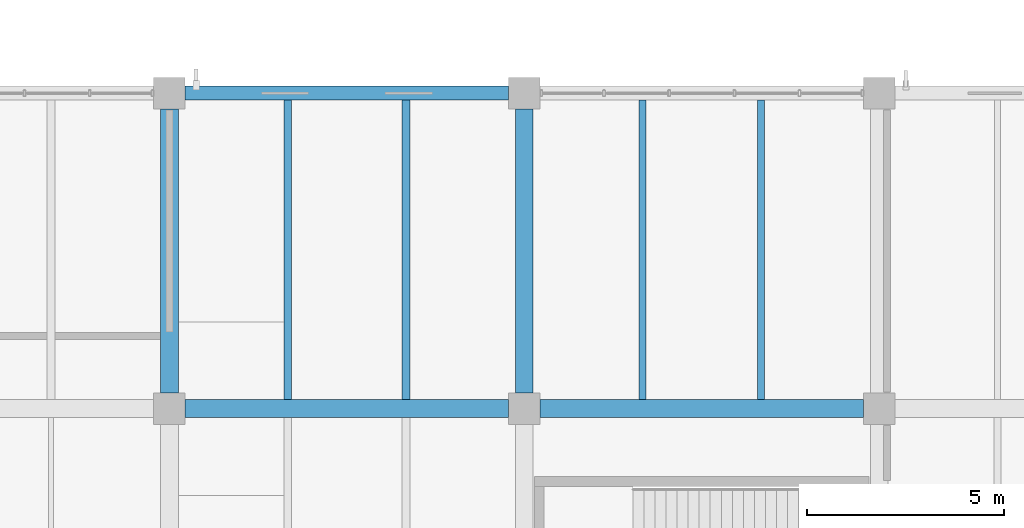
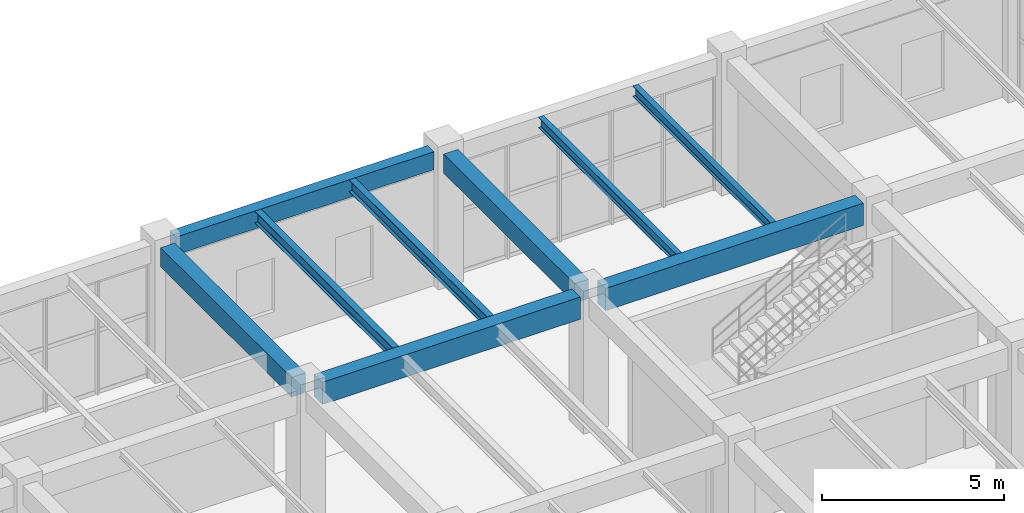
# One storey, part 135 of 178: 9 beams.
"""IFC4 building model written with IfcOpenShell, lengths in metres."""

from ifc_helpers import new_model, si_unit, derived_unit, direction, frame, origin, origin_2d, place, context, subcontext, project, spatial, rectangle, i_section, extrude, material, material_profile, profile_set, type_object, element, save


model = new_model("IFC4")

# Units and contexts
model_context = context("Model", 3, precision=1e-05, world=origin(), true_north=direction((0.0, 1.0)))
body_context = subcontext(model_context, "Body", "Model", "MODEL_VIEW")
ifc_project = project(units=[si_unit("LENGTHUNIT", "METRE"), si_unit("AREAUNIT", "SQUARE_METRE"), si_unit("VOLUMEUNIT", "CUBIC_METRE"), si_unit("PLANEANGLEUNIT", "RADIAN"), si_unit("MASSUNIT", "GRAM", prefix="KILO"), derived_unit("THERMALTRANSMITTANCEUNIT", [(si_unit("MASSUNIT", "GRAM", prefix="KILO"), 1), (si_unit("TIMEUNIT", "SECOND"), -3), (si_unit("THERMODYNAMICTEMPERATUREUNIT", "KELVIN"), -1)])], contexts=[model_context])

# Site, building, storey
site_placement = place(None, origin())
site = spatial("IfcSite", under=ifc_project, at=site_placement, CompositionType="ELEMENT")
building_placement = place(site_placement, origin())
building = spatial("IfcBuilding", under=site, at=building_placement, Name="Zhenchuan Archway Interchange", CompositionType="ELEMENT")
storey_placement = place(building_placement, frame((0.0, 0.0, 5.39990234375)))
storey = spatial("IfcBuildingStorey", under=building, at=storey_placement, Name="L01", CompositionType="ELEMENT", Elevation=5.39990234375)

# Beams
ifc_material_1 = material(Name="Concrete C40", Category="concrete")
ifc_material_profile_1 = material_profile(ifc_material_1, rectangle(XDim=0.449951171875, YDim=0.64990234375, at=origin_2d()), Name="RC 450x650")
ifc_profile_set_1 = profile_set([ifc_material_profile_1], Name="Concrete C40")
beam_type_1 = type_object("IfcBeamType", Name="BM_RC_450x650", PredefinedType="BEAM", material=ifc_profile_set_1)
for number, where, z_axis, x_axis, name in (
    (1, (144.0, 96.39990234375, 4.18505859375), (0.0, 1.0, 0.0), (-1.0, 0.0, 0.0), "Beam 17:N-O (L01)"),
    (2, (153.0, 96.39990234375, 4.18505859375), (0.0, 1.0, 0.0), (-1.0, 0.0, 0.0), "Beam 18:N-O (L01)"),
):
    element("IfcBeam", number, at=place(storey_placement, frame(where, z_axis=z_axis, x_axis=x_axis)), inside=storey, type_object=beam_type_1, Name=name, PredefinedType="BEAM", context=body_context, shape_type="SweptSolid", body=[
        extrude(rectangle(XDim=0.449951171875, YDim=0.64990234375, at=origin_2d()), origin(), (0.0, 0.0, 1.0), 7.2001953125),
    ])
ifc_material_profile_2 = material_profile(ifc_material_1, rectangle(XDim=0.449951171875, YDim=0.75, at=origin_2d()), Name="RC 450x750")
ifc_profile_set_2 = profile_set([ifc_material_profile_2], Name="Concrete C40")
beam_type_2 = type_object("IfcBeamType", Name="BM_RC_450x750", PredefinedType="BEAM", material=ifc_profile_set_2)
for number, where, z_axis, x_axis, name in (
    (3, (144.39990234375, 96.0, 4.135009765625), (1.0, 0.0, 0.0), (0.0, 1.0, 0.0), "Beam N:17-18 (L01)"),
    (4, (153.39990234375, 96.0, 4.135009765625), (1.0, 0.0, 0.0), (0.0, 1.0, 0.0), "Beam N:18-19 (L01)"),
):
    element("IfcBeam", number, at=place(storey_placement, frame(where, z_axis=z_axis, x_axis=x_axis)), inside=storey, type_object=beam_type_2, Name=name, PredefinedType="BEAM", context=body_context, shape_type="SweptSolid", body=[
        extrude(rectangle(XDim=0.449951171875, YDim=0.75, at=origin_2d()), origin(), (0.0, 0.0, 1.0), 8.2001953125),
    ])
ifc_material_2 = material(Name="Steel Q355", Category="steel")
ifc_material_profile_3 = material_profile(ifc_material_2, i_section(OverallWidth=0.175048828125, OverallDepth=0.35009765625, WebThickness=0.007080078125, FlangeThickness=0.010986328125, FilletRadius=0.013916015625, at=origin_2d()), Name="HN 350x175")
ifc_profile_set_3 = profile_set([ifc_material_profile_3], Name="Steel Q355")
beam_type_3 = type_object("IfcBeamType", Name="JST_STL_HN350", PredefinedType="JOIST", material=ifc_profile_set_3)
for number, where, z_axis, x_axis, name in (
    (5, (156.0, 96.22509765625, 4.335205078125), (0.0, 1.0, 0.0), (-1.0, 0.0, 0.0), "Secondary joist 18-19/N-O #1 (L01)"),
    (6, (159.0, 96.22509765625, 4.335205078125), (0.0, 1.0, 0.0), (-1.0, 0.0, 0.0), "Secondary joist 18-19/N-O #2 (L01)"),
):
    element("IfcBeam", number, at=place(storey_placement, frame(where, z_axis=z_axis, x_axis=x_axis)), inside=storey, type_object=beam_type_3, Name=name, PredefinedType="JOIST", context=body_context, shape_type="SweptSolid", body=[
        extrude(i_section(OverallWidth=0.175048828125, OverallDepth=0.35009765625, WebThickness=0.007080078125, FlangeThickness=0.010986328125, FilletRadius=0.013916015625, at=origin_2d()), origin(), (0.0, 0.0, 1.0), 7.599853515625),
    ])
ifc_material_profile_4 = material_profile(ifc_material_2, i_section(OverallWidth=0.199951171875, OverallDepth=0.39990234375, WebThickness=0.008056640625, FlangeThickness=0.012939453125, FilletRadius=0.01611328125, at=origin_2d()), Name="HN 400x200")
ifc_profile_set_4 = profile_set([ifc_material_profile_4], Name="Steel Q355")
beam_type_4 = type_object("IfcBeamType", Name="JST_STL_HN400", PredefinedType="JOIST", material=ifc_profile_set_4)
for number, where, z_axis, x_axis, name in (
    (7, (147.0, 96.22509765625, 4.31005859375), (0.0, 1.0, 0.0), (-1.0, 0.0, 0.0), "Secondary joist 17-18/N-O #1 (L01)"),
    (8, (150.0, 96.22509765625, 4.31005859375), (0.0, 1.0, 0.0), (-1.0, 0.0, 0.0), "Secondary joist 17-18/N-O #2 (L01)"),
):
    element("IfcBeam", number, at=place(storey_placement, frame(where, z_axis=z_axis, x_axis=x_axis)), inside=storey, type_object=beam_type_4, Name=name, PredefinedType="JOIST", context=body_context, shape_type="SweptSolid", body=[
        extrude(i_section(OverallWidth=0.199951171875, OverallDepth=0.39990234375, WebThickness=0.008056640625, FlangeThickness=0.012939453125, FilletRadius=0.01611328125, at=origin_2d()), origin(), (0.0, 0.0, 1.0), 7.599853515625),
    ])
ifc_material_profile_5 = material_profile(ifc_material_1, rectangle(XDim=0.35009765625, YDim=0.60009765625, at=origin_2d()), Name="RC 350x600")
ifc_profile_set_5 = profile_set([ifc_material_profile_5], Name="Concrete C40")
beam_type_5 = type_object("IfcBeamType", Name="SP_RC_350x600", PredefinedType="SPANDREL", material=ifc_profile_set_5)
beam_placement = place(storey_placement, frame((144.39990234375, 104.0, 4.210205078125), z_axis=(1.0, 0.0, 0.0), x_axis=(0.0, 1.0, 0.0)))
element("IfcBeam", 9, at=beam_placement, inside=storey, type_object=beam_type_5, Name="Beam O:17-18 (L01)", PredefinedType="SPANDREL", context=body_context, shape_type="SweptSolid", body=[
    extrude(rectangle(XDim=0.35009765625, YDim=0.60009765625, at=origin_2d()), origin(), (0.0, 0.0, 1.0), 8.2001953125),
])

save(model, "model.ifc")
